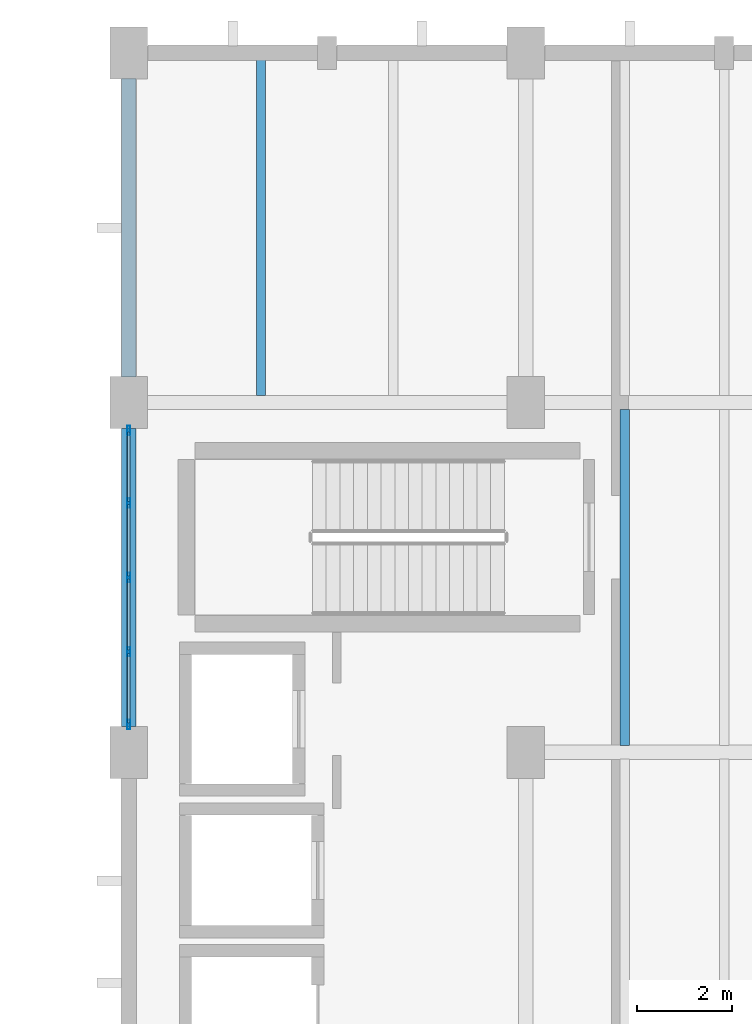
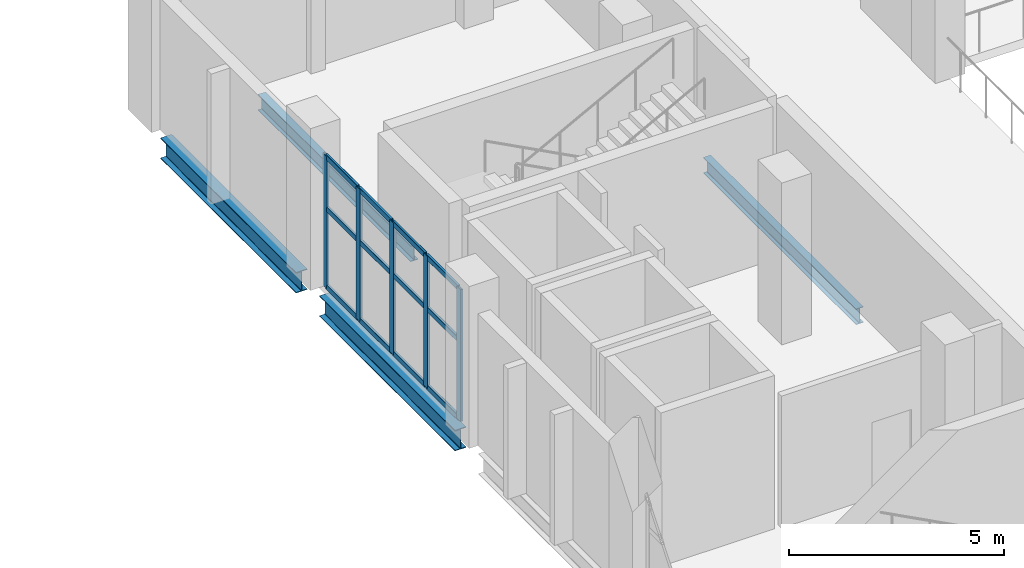
# One storey, part 49 of 136: 17 members, 4 beams, 1 element without a shape of its own.
"""IFC4 building model written with IfcOpenShell, lengths in metres."""

from ifc_helpers import new_model, si_unit, direction, frame, origin, origin_2d, place, context, subcontext, project, spatial, hollow_rectangle, i_section, extrude, material, material_profile, profile_set, type_object, element, aggregate, save


model = new_model("IFC4")

# Units and contexts
model_context = context("Model", 3, precision=1e-05, world=origin(), true_north=direction((0.0, 1.0)))
body_context = subcontext(model_context, "Body", "Model", "MODEL_VIEW")
ifc_project = project(units=[si_unit("LENGTHUNIT", "METRE"), si_unit("AREAUNIT", "SQUARE_METRE"), si_unit("VOLUMEUNIT", "CUBIC_METRE"), si_unit("PLANEANGLEUNIT", "RADIAN"), si_unit("MASSUNIT", "GRAM", prefix="KILO")], contexts=[model_context])

# Site, building, storey
site_placement = place(None, origin())
site = spatial("IfcSite", under=ifc_project, at=site_placement, CompositionType="ELEMENT")
building_placement = place(site_placement, origin())
building = spatial("IfcBuilding", under=site, at=building_placement, Name="Shengluoqiao Park Theatre", CompositionType="ELEMENT")
storey_placement = place(building_placement, frame((0.0, 0.0, 10.0)))
storey = spatial("IfcBuildingStorey", under=building, at=storey_placement, Name="L02", CompositionType="ELEMENT", Elevation=10.0)

# Curtain wall, members
ifc_material_1 = material(Name="Aluminium 6063-T6", Category="aluminium")
curtain_wall_type = type_object("IfcCurtainWallType", Name="ENV-CW-CLERE", PredefinedType="NOTDEFINED", material=ifc_material_1)
curtain_wall_placement = place(storey_placement, origin())
curtain_wall = element("IfcCurtainWall", 1, at=curtain_wall_placement, inside=storey, type_object=curtain_wall_type, Name="L02 Curtain Wall CW-L02-0006", PredefinedType="NOTDEFINED")
ifc_material_profile_1 = material_profile(ifc_material_1, hollow_rectangle(XDim=0.06494140625, YDim=0.199951171875, WallThickness=0.0048828125, InnerFilletRadius=0.0048828125, OuterFilletRadius=0.010009765625, at=origin_2d()), Name="ALU MULLION 200x65x5")
ifc_profile_set_1 = profile_set([ifc_material_profile_1], Name="Aluminium 6063-T6")
member_type_1 = type_object("IfcMemberType", Name="ENV-MUL-200", PredefinedType="MULLION", material=ifc_profile_set_1)
member_1_placement = place(storey_placement, frame((44.39990234375, 99.78662109375, 0.0), z_axis=(0.0, 0.0, 1.0), x_axis=(-1.0, 0.0, 0.0)))
member_1 = element("IfcMember", 2, at=member_1_placement, type_object=member_type_1, Name="CW-06 mullion 1", PredefinedType="MULLION", context=body_context, shape_type="SweptSolid", body=[
    extrude(hollow_rectangle(XDim=0.06494140625, YDim=0.199951171875, WallThickness=0.0048828125, InnerFilletRadius=0.0048828125, OuterFilletRadius=0.010009765625, at=origin_2d()), origin(), (0.0, 0.0, 1.0), 3.75),
])
member_2_placement = place(storey_placement, frame((44.39990234375, 101.326904296875, 0.0), z_axis=(0.0, 0.0, 1.0), x_axis=(-1.0, 0.0, 0.0)))
member_2 = element("IfcMember", 3, at=member_2_placement, type_object=member_type_1, Name="CW-06 mullion 2", PredefinedType="MULLION", context=body_context, shape_type="SweptSolid", body=[
    extrude(hollow_rectangle(XDim=0.06494140625, YDim=0.199951171875, WallThickness=0.0048828125, InnerFilletRadius=0.0048828125, OuterFilletRadius=0.010009765625, at=origin_2d()), origin(), (0.0, 0.0, 1.0), 3.75),
])
member_3_placement = place(storey_placement, frame((44.39990234375, 102.89990234375, 0.0), z_axis=(0.0, 0.0, 1.0), x_axis=(-1.0, 0.0, 0.0)))
member_3 = element("IfcMember", 4, at=member_3_placement, type_object=member_type_1, Name="CW-06 mullion 3", PredefinedType="MULLION", context=body_context, shape_type="SweptSolid", body=[
    extrude(hollow_rectangle(XDim=0.06494140625, YDim=0.199951171875, WallThickness=0.0048828125, InnerFilletRadius=0.0048828125, OuterFilletRadius=0.010009765625, at=origin_2d()), origin(), (0.0, 0.0, 1.0), 3.75),
])
member_4_placement = place(storey_placement, frame((44.39990234375, 104.472900390625, 0.0), z_axis=(0.0, 0.0, 1.0), x_axis=(-1.0, 0.0, 0.0)))
member_4 = element("IfcMember", 5, at=member_4_placement, type_object=member_type_1, Name="CW-06 mullion 4", PredefinedType="MULLION", context=body_context, shape_type="SweptSolid", body=[
    extrude(hollow_rectangle(XDim=0.06494140625, YDim=0.199951171875, WallThickness=0.0048828125, InnerFilletRadius=0.0048828125, OuterFilletRadius=0.010009765625, at=origin_2d()), origin(), (0.0, 0.0, 1.0), 3.75),
])
member_5_placement = place(storey_placement, frame((44.39990234375, 106.013427734375, 0.0), z_axis=(0.0, 0.0, 1.0), x_axis=(-1.0, 0.0, 0.0)))
member_5 = element("IfcMember", 6, at=member_5_placement, type_object=member_type_1, Name="CW-06 mullion 5", PredefinedType="MULLION", context=body_context, shape_type="SweptSolid", body=[
    extrude(hollow_rectangle(XDim=0.06494140625, YDim=0.199951171875, WallThickness=0.0048828125, InnerFilletRadius=0.0048828125, OuterFilletRadius=0.010009765625, at=origin_2d()), origin(), (0.0, 0.0, 1.0), 3.75),
])
ifc_material_profile_2 = material_profile(ifc_material_1, hollow_rectangle(XDim=0.06494140625, YDim=0.14990234375, WallThickness=0.00390625, InnerFilletRadius=0.00390625, OuterFilletRadius=0.008056640625, at=origin_2d()), Name="ALU TRANSOM 150x65x4")
ifc_profile_set_2 = profile_set([ifc_material_profile_2], Name="Aluminium 6063-T6")
member_type_2 = type_object("IfcMemberType", Name="ENV-TRN-150", PredefinedType="USERDEFINED", material=ifc_profile_set_2)
member_6_placement = place(storey_placement, frame((44.39990234375, 99.819091796875, 0.032470703125), z_axis=(0.0, 1.0, 0.0), x_axis=(-1.0, 0.0, 0.0)))
member_6 = element("IfcMember", 7, at=member_6_placement, type_object=member_type_2, Name="CW-06 transom 1.1", ObjectType="TRANSOM", PredefinedType="USERDEFINED", context=body_context, shape_type="SweptSolid", body=[
    extrude(hollow_rectangle(XDim=0.06494140625, YDim=0.14990234375, WallThickness=0.00390625, InnerFilletRadius=0.00390625, OuterFilletRadius=0.008056640625, at=origin_2d()), origin(), (0.0, 0.0, 1.0), 1.475341796875),
])
member_7_placement = place(storey_placement, frame((44.39990234375, 99.819091796875, 2.25), z_axis=(0.0, 1.0, 0.0), x_axis=(-1.0, 0.0, 0.0)))
member_7 = element("IfcMember", 8, at=member_7_placement, type_object=member_type_2, Name="CW-06 transom 1.2", ObjectType="TRANSOM", PredefinedType="USERDEFINED", context=body_context, shape_type="SweptSolid", body=[
    extrude(hollow_rectangle(XDim=0.06494140625, YDim=0.14990234375, WallThickness=0.00390625, InnerFilletRadius=0.00390625, OuterFilletRadius=0.008056640625, at=origin_2d()), origin(), (0.0, 0.0, 1.0), 1.475341796875),
])
member_8_placement = place(storey_placement, frame((44.39990234375, 99.819091796875, 3.717529296875), z_axis=(0.0, 1.0, 0.0), x_axis=(-1.0, 0.0, 0.0)))
member_8 = element("IfcMember", 9, at=member_8_placement, type_object=member_type_2, Name="CW-06 transom 1.3", ObjectType="TRANSOM", PredefinedType="USERDEFINED", context=body_context, shape_type="SweptSolid", body=[
    extrude(hollow_rectangle(XDim=0.06494140625, YDim=0.14990234375, WallThickness=0.00390625, InnerFilletRadius=0.00390625, OuterFilletRadius=0.008056640625, at=origin_2d()), origin(), (0.0, 0.0, 1.0), 1.475341796875),
])
member_9_placement = place(storey_placement, frame((44.39990234375, 101.359619140625, 0.032470703125), z_axis=(0.0, 1.0, 0.0), x_axis=(-1.0, 0.0, 0.0)))
member_9 = element("IfcMember", 10, at=member_9_placement, type_object=member_type_2, Name="CW-06 transom 2.1", ObjectType="TRANSOM", PredefinedType="USERDEFINED", context=body_context, shape_type="SweptSolid", body=[
    extrude(hollow_rectangle(XDim=0.06494140625, YDim=0.14990234375, WallThickness=0.00390625, InnerFilletRadius=0.00390625, OuterFilletRadius=0.008056640625, at=origin_2d()), origin(), (0.0, 0.0, 1.0), 1.5078125),
])
member_10_placement = place(storey_placement, frame((44.39990234375, 101.359619140625, 2.25), z_axis=(0.0, 1.0, 0.0), x_axis=(-1.0, 0.0, 0.0)))
member_10 = element("IfcMember", 11, at=member_10_placement, type_object=member_type_2, Name="CW-06 transom 2.2", ObjectType="TRANSOM", PredefinedType="USERDEFINED", context=body_context, shape_type="SweptSolid", body=[
    extrude(hollow_rectangle(XDim=0.06494140625, YDim=0.14990234375, WallThickness=0.00390625, InnerFilletRadius=0.00390625, OuterFilletRadius=0.008056640625, at=origin_2d()), origin(), (0.0, 0.0, 1.0), 1.5078125),
])
member_11_placement = place(storey_placement, frame((44.39990234375, 101.359619140625, 3.717529296875), z_axis=(0.0, 1.0, 0.0), x_axis=(-1.0, 0.0, 0.0)))
member_11 = element("IfcMember", 12, at=member_11_placement, type_object=member_type_2, Name="CW-06 transom 2.3", ObjectType="TRANSOM", PredefinedType="USERDEFINED", context=body_context, shape_type="SweptSolid", body=[
    extrude(hollow_rectangle(XDim=0.06494140625, YDim=0.14990234375, WallThickness=0.00390625, InnerFilletRadius=0.00390625, OuterFilletRadius=0.008056640625, at=origin_2d()), origin(), (0.0, 0.0, 1.0), 1.5078125),
])
member_12_placement = place(storey_placement, frame((44.39990234375, 102.9326171875, 0.032470703125), z_axis=(0.0, 1.0, 0.0), x_axis=(-1.0, 0.0, 0.0)))
member_12 = element("IfcMember", 13, at=member_12_placement, type_object=member_type_2, Name="CW-06 transom 3.1", ObjectType="TRANSOM", PredefinedType="USERDEFINED", context=body_context, shape_type="SweptSolid", body=[
    extrude(hollow_rectangle(XDim=0.06494140625, YDim=0.14990234375, WallThickness=0.00390625, InnerFilletRadius=0.00390625, OuterFilletRadius=0.008056640625, at=origin_2d()), origin(), (0.0, 0.0, 1.0), 1.5078125),
])
member_13_placement = place(storey_placement, frame((44.39990234375, 102.9326171875, 2.25), z_axis=(0.0, 1.0, 0.0), x_axis=(-1.0, 0.0, 0.0)))
member_13 = element("IfcMember", 14, at=member_13_placement, type_object=member_type_2, Name="CW-06 transom 3.2", ObjectType="TRANSOM", PredefinedType="USERDEFINED", context=body_context, shape_type="SweptSolid", body=[
    extrude(hollow_rectangle(XDim=0.06494140625, YDim=0.14990234375, WallThickness=0.00390625, InnerFilletRadius=0.00390625, OuterFilletRadius=0.008056640625, at=origin_2d()), origin(), (0.0, 0.0, 1.0), 1.5078125),
])
member_14_placement = place(storey_placement, frame((44.39990234375, 102.9326171875, 3.717529296875), z_axis=(0.0, 1.0, 0.0), x_axis=(-1.0, 0.0, 0.0)))
member_14 = element("IfcMember", 15, at=member_14_placement, type_object=member_type_2, Name="CW-06 transom 3.3", ObjectType="TRANSOM", PredefinedType="USERDEFINED", context=body_context, shape_type="SweptSolid", body=[
    extrude(hollow_rectangle(XDim=0.06494140625, YDim=0.14990234375, WallThickness=0.00390625, InnerFilletRadius=0.00390625, OuterFilletRadius=0.008056640625, at=origin_2d()), origin(), (0.0, 0.0, 1.0), 1.5078125),
])
member_15_placement = place(storey_placement, frame((44.39990234375, 104.505615234375, 0.032470703125), z_axis=(0.0, 1.0, 0.0), x_axis=(-1.0, 0.0, 0.0)))
member_15 = element("IfcMember", 16, at=member_15_placement, type_object=member_type_2, Name="CW-06 transom 4.1", ObjectType="TRANSOM", PredefinedType="USERDEFINED", context=body_context, shape_type="SweptSolid", body=[
    extrude(hollow_rectangle(XDim=0.06494140625, YDim=0.14990234375, WallThickness=0.00390625, InnerFilletRadius=0.00390625, OuterFilletRadius=0.008056640625, at=origin_2d()), origin(), (0.0, 0.0, 1.0), 1.475341796875),
])
member_16_placement = place(storey_placement, frame((44.39990234375, 104.505615234375, 2.25), z_axis=(0.0, 1.0, 0.0), x_axis=(-1.0, 0.0, 0.0)))
member_16 = element("IfcMember", 17, at=member_16_placement, type_object=member_type_2, Name="CW-06 transom 4.2", ObjectType="TRANSOM", PredefinedType="USERDEFINED", context=body_context, shape_type="SweptSolid", body=[
    extrude(hollow_rectangle(XDim=0.06494140625, YDim=0.14990234375, WallThickness=0.00390625, InnerFilletRadius=0.00390625, OuterFilletRadius=0.008056640625, at=origin_2d()), origin(), (0.0, 0.0, 1.0), 1.475341796875),
])
member_17_placement = place(storey_placement, frame((44.39990234375, 104.505615234375, 3.717529296875), z_axis=(0.0, 1.0, 0.0), x_axis=(-1.0, 0.0, 0.0)))
member_17 = element("IfcMember", 18, at=member_17_placement, type_object=member_type_2, Name="CW-06 transom 4.3", ObjectType="TRANSOM", PredefinedType="USERDEFINED", context=body_context, shape_type="SweptSolid", body=[
    extrude(hollow_rectangle(XDim=0.06494140625, YDim=0.14990234375, WallThickness=0.00390625, InnerFilletRadius=0.00390625, OuterFilletRadius=0.008056640625, at=origin_2d()), origin(), (0.0, 0.0, 1.0), 1.475341796875),
])
aggregate(curtain_wall, [member_1, member_2, member_3, member_4, member_5, member_6, member_7, member_8, member_9, member_10, member_11, member_12, member_13, member_14, member_15, member_16, member_17])

# Beams
ifc_material_2 = material(Name="Steel Q355", Category="steel")
ifc_material_profile_3 = material_profile(ifc_material_2, i_section(OverallWidth=0.300048828125, OverallDepth=0.587890625, WebThickness=0.011962890625, FlangeThickness=0.02001953125, FilletRadius=0.02392578125, at=origin_2d()), Name="HM 588x300x12x20")
ifc_profile_set_3 = profile_set([ifc_material_profile_3], Name="Steel Q355")
beam_type_1 = type_object("IfcBeamType", Name="STR-BM-G-HM588", PredefinedType="BEAM", material=ifc_profile_set_3)
for number, where, z_axis, x_axis, name in (
    (19, (44.39990234375, 99.743896484375, -0.533935546875), (0.0, 1.0, 0.0), (-1.0, 0.0, 0.0), "L02 Transverse Girder 00801"),
    (20, (44.39990234375, 107.14404296875, -0.533935546875), (0.0, 1.0, 0.0), (-1.0, 0.0, 0.0), "L02 Transverse Girder 00802"),
):
    element("IfcBeam", number, at=place(storey_placement, frame(where, z_axis=z_axis, x_axis=x_axis)), inside=storey, type_object=beam_type_1, Name=name, PredefinedType="BEAM", context=body_context, shape_type="SweptSolid", body=[
        extrude(i_section(OverallWidth=0.300048828125, OverallDepth=0.587890625, WebThickness=0.011962890625, FlangeThickness=0.02001953125, FilletRadius=0.02392578125, at=origin_2d()), origin(), (0.0, 0.0, 1.0), 6.31201171875),
    ])
ifc_material_profile_4 = material_profile(ifc_material_2, i_section(OverallWidth=0.199951171875, OverallDepth=0.449951171875, WebThickness=0.009033203125, FlangeThickness=0.013916015625, FilletRadius=0.01611328125, at=origin_2d()), Name="HN 450x200x9x14")
ifc_profile_set_4 = profile_set([ifc_material_profile_4], Name="Steel Q355")
beam_type_2 = type_object("IfcBeamType", Name="STR-BM-J-HN450", PredefinedType="JOIST", material=ifc_profile_set_4)
beam_1_placement = place(storey_placement, frame((47.199951171875, 106.7451171875, -0.465087890625), z_axis=(0.0, 1.0, 0.0), x_axis=(-1.0, 0.0, 0.0)))
element("IfcBeam", 21, at=beam_1_placement, inside=storey, type_object=beam_type_2, Name="L02 Composite Joist 00813", PredefinedType="JOIST", context=body_context, shape_type="SweptSolid", body=[
    extrude(i_section(OverallWidth=0.199951171875, OverallDepth=0.449951171875, WebThickness=0.009033203125, FlangeThickness=0.013916015625, FilletRadius=0.01611328125, at=origin_2d()), origin(), (0.0, 0.0, 1.0), 7.10986328125),
])
beam_2_placement = place(storey_placement, frame((54.89990234375, 99.344970703125, -0.465087890625), z_axis=(0.0, 1.0, 0.0), x_axis=(-1.0, 0.0, 0.0)))
element("IfcBeam", 22, at=beam_2_placement, inside=storey, type_object=beam_type_2, Name="L02 Composite Joist 00824", PredefinedType="JOIST", context=body_context, shape_type="SweptSolid", body=[
    extrude(i_section(OverallWidth=0.199951171875, OverallDepth=0.449951171875, WebThickness=0.009033203125, FlangeThickness=0.013916015625, FilletRadius=0.01611328125, at=origin_2d()), origin(), (0.0, 0.0, 1.0), 7.110107421875),
])

save(model, "model.ifc")
